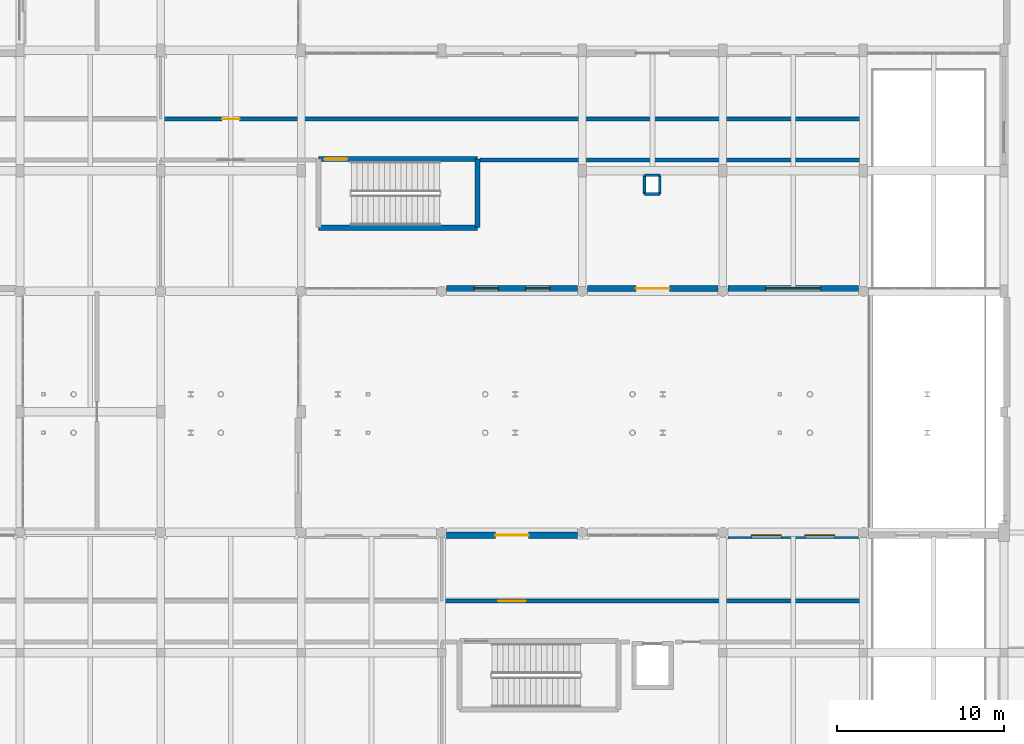
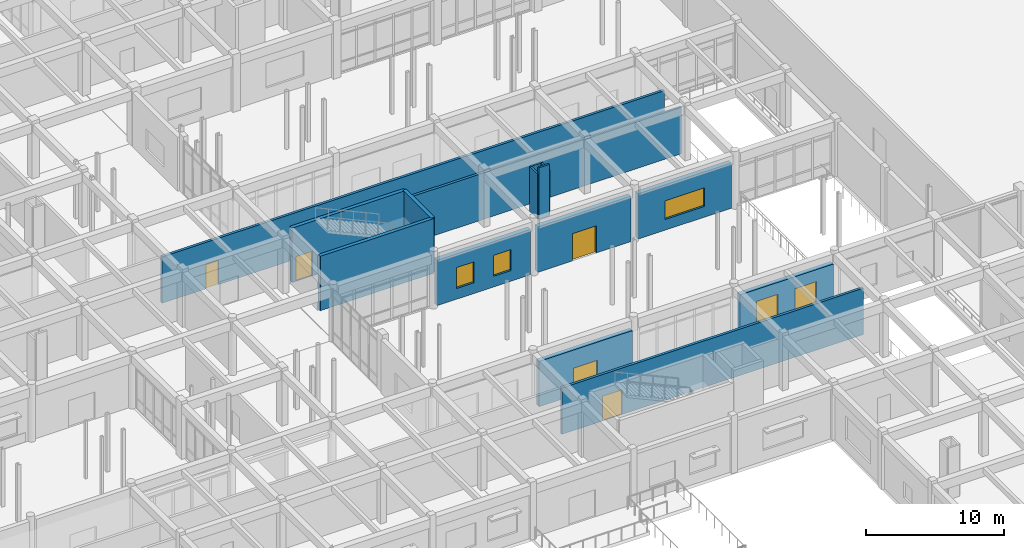
# One storey, part 77 of 121: 15 walls, 5 doors, 5 windows, 10 openings.
"""IFC4 building model written with IfcOpenShell, lengths in metres."""

from ifc_helpers import new_model, si_unit, direction, frame, frame_2d, origin, place, context, subcontext, project, spatial, rectangle, extrude, material, layer, layer_set, type_object, element, fill, save


model = new_model("IFC4")

# Units and contexts
model_context = context("Model", 3, precision=1e-05, world=origin(), true_north=direction((0.0, 1.0)))
body_context = subcontext(model_context, "Body", "Model", "MODEL_VIEW")
ifc_project = project(units=[si_unit("LENGTHUNIT", "METRE"), si_unit("AREAUNIT", "SQUARE_METRE"), si_unit("VOLUMEUNIT", "CUBIC_METRE"), si_unit("PLANEANGLEUNIT", "RADIAN"), si_unit("MASSUNIT", "GRAM", prefix="KILO")], contexts=[model_context])

# Site, building, storey
site_placement = place(None, origin())
site = spatial("IfcSite", under=ifc_project, at=site_placement, CompositionType="ELEMENT")
building_placement = place(site_placement, origin())
building = spatial("IfcBuilding", under=site, at=building_placement, Name="Malvenik Polytechnic", CompositionType="ELEMENT")
storey_placement = place(building_placement, origin())
storey = spatial("IfcBuildingStorey", under=building, at=storey_placement, Name="L00", CompositionType="ELEMENT", Elevation=0.0)

# Wall, opening, door
ifc_material_1 = material(Name="Concrete C35/45", Category="concrete")
ifc_layer_1 = layer(ifc_material_1, 0.300048828125)
ifc_layer_set_1 = layer_set([ifc_layer_1], Name="Concrete C35/45")
wall_type_1 = type_object("IfcWallType", Name="ARC-CW-S300", PredefinedType="SHEAR", material=ifc_layer_set_1)
wall_1_placement = place(storey_placement, frame((93.449951171875, 58.300048828125, 0.0), z_axis=(0.0, 0.0, 1.0), x_axis=(1.0, 0.0, 0.0)))
wall_1 = element("IfcWall", 1, at=wall_1_placement, inside=storey, type_object=wall_type_1, Name="Stair Core Shear Wall ST-07 L00 RGHT", PredefinedType="SHEAR", context=body_context, shape_type="SweptSolid", body=[
    extrude(rectangle(XDim=9.5, YDim=0.300048828125, at=frame_2d((4.75, 0.0))), origin(), (0.0, 0.0, 1.0), 4.820068359375),
])
opening_1_placement = place(wall_1_placement, frame((0.35009765625, 0.0, 0.0)))
opening_1 = element("IfcOpeningElement", 2, at=opening_1_placement, cuts=wall_1, Name="Opening SD-01", PredefinedType="OPENING", context=body_context, shape_type="SweptSolid", body=[
    extrude(rectangle(XDim=1.35009765625, YDim=2.199951171875, at=frame_2d((0.675048828125, 1.10009765625))), frame((0.0, 0.16015625, 0.0), z_axis=(0.0, -1.0, 0.0), x_axis=(1.0, 0.0, 0.0)), (0.0, 0.0, 1.0), 0.320068359375),
])
ifc_material_2 = material(Name="Fire-rated steel stair enclosure door", Category="steel")
door_type_1 = type_object("IfcDoorType", Name="ARC-IDR-SD-01", OperationType="NOTDEFINED", PredefinedType="DOOR", material=ifc_material_2)
door_1_placement = place(opening_1_placement, origin())
door_1 = element("IfcDoor", 3, at=door_1_placement, inside=storey, type_object=door_type_1, Name="Fire Stair Door ST-07 L00", OperationType="SINGLE_SWING_LEFT", OverallHeight=2.199951171875, OverallWidth=1.35009765625, PredefinedType="DOOR", context=body_context, shape_type="SweptSolid", body=[
    extrude(rectangle(XDim=1.35009765625, YDim=2.199951171875, at=frame_2d((0.675048828125, 1.10009765625))), frame((0.0, 0.02490234375, 0.0), z_axis=(0.0, -1.0, 0.0), x_axis=(1.0, 0.0, 0.0)), (0.0, 0.0, 1.0), 0.050048828125),
])
fill(opening_1, door_1)

# Walls
wall_2_placement = place(storey_placement, frame((102.949951171875, 58.300048828125, 0.0), z_axis=(0.0, 0.0, 1.0), x_axis=(0.0, -1.0, 0.0)))
element("IfcWall", 4, at=wall_2_placement, inside=storey, type_object=wall_type_1, Name="Stair Core Shear Wall ST-07 L00 FAR", PredefinedType="SHEAR", context=body_context, shape_type="SweptSolid", body=[
    extrude(rectangle(XDim=4.10009765625, YDim=0.300048828125, at=frame_2d((2.050048828125, 0.0))), origin(), (0.0, 0.0, 1.0), 4.820068359375),
])
wall_3_placement = place(storey_placement, frame((102.949951171875, 54.199951171875, 0.0), z_axis=(0.0, 0.0, 1.0), x_axis=(-1.0, 0.0, 0.0)))
element("IfcWall", 5, at=wall_3_placement, inside=storey, type_object=wall_type_1, Name="Stair Core Shear Wall ST-07 L00 LEFT", PredefinedType="SHEAR", context=body_context, shape_type="SweptSolid", body=[
    extrude(rectangle(XDim=9.5, YDim=0.300048828125, at=frame_2d((4.75, 0.0))), origin(), (0.0, 0.0, 1.0), 4.820068359375),
])

# Wall, opening, window
ifc_material_3 = material(Name="Concrete C30/37", Category="concrete")
ifc_layer_2 = layer(ifc_material_3, 0.3798828125)
ifc_layer_set_2 = layer_set([ifc_layer_2], Name="Concrete C30/37")
wall_type_2 = type_object("IfcWallType", Name="ARC-EW-380", PredefinedType="SOLIDWALL", material=ifc_layer_set_2)
wall_4_placement = place(storey_placement, frame((125.701904296875, 50.570068359375, 0.0), z_axis=(0.0, 0.0, 1.0), x_axis=(-1.0, 0.0, 0.0)))
wall_4 = element("IfcWall", 6, at=wall_4_placement, inside=storey, type_object=wall_type_2, Name="External Facade Wall EW-01 L00 #159", PredefinedType="SOLIDWALL", context=body_context, shape_type="SweptSolid", body=[
    extrude(rectangle(XDim=7.803955078125, YDim=0.3798828125, at=frame_2d((3.90185546875, 0.0))), origin(), (0.0, 0.0, 1.0), 4.010009765625),
])
opening_2_placement = place(wall_4_placement, frame((2.251953125, 0.0, 0.949951171875)))
opening_2 = element("IfcOpeningElement", 7, at=opening_2_placement, cuts=wall_4, Name="Opening W-30", PredefinedType="OPENING", context=body_context, shape_type="SweptSolid", body=[
    extrude(rectangle(XDim=3.300048828125, YDim=1.64990234375, at=frame_2d((1.64990234375, 0.824951171875))), frame((0.0, 0.199951171875, 0.0), z_axis=(0.0, -1.0, 0.0), x_axis=(1.0, 0.0, 0.0)), (0.0, 0.0, 1.0), 0.39990234375),
])
ifc_material_4 = material(Name="Thermally broken aluminium frame with low-E double glazing", Category="aluminium")
window_type_1 = type_object("IfcWindowType", Name="ARC-WIN-W-30", PartitioningType="SINGLE_PANEL", PredefinedType="WINDOW", material=ifc_material_4)
window_1_placement = place(opening_2_placement, origin())
window_1 = element("IfcWindow", 8, at=window_1_placement, inside=storey, type_object=window_type_1, Name="Punched Window W-30 L00 #120", OverallHeight=1.64990234375, OverallWidth=3.300048828125, PartitioningType="SINGLE_PANEL", PredefinedType="WINDOW", context=body_context, shape_type="SweptSolid", body=[
    extrude(rectangle(XDim=3.300048828125, YDim=1.64990234375, at=frame_2d((1.64990234375, 0.824951171875))), frame((0.0, 0.030029296875, 0.0), z_axis=(0.0, -1.0, 0.0), x_axis=(1.0, 0.0, 0.0)), (0.0, 0.0, 1.0), 0.06005859375),
])
fill(opening_2, window_1)

# Wall, opening, door
wall_5_placement = place(storey_placement, frame((117.302001953125, 50.570068359375, 0.0), z_axis=(0.0, 0.0, 1.0), x_axis=(-1.0, 0.0, 0.0)))
wall_5 = element("IfcWall", 9, at=wall_5_placement, inside=storey, type_object=wall_type_2, Name="External Facade Wall EW-01 L00 #160", PredefinedType="SOLIDWALL", context=body_context, shape_type="SweptSolid", body=[
    extrude(rectangle(XDim=7.803955078125, YDim=0.3798828125, at=frame_2d((3.90185546875, 0.0))), origin(), (0.0, 0.0, 1.0), 4.010009765625),
])
opening_3_placement = place(wall_5_placement, frame((2.902099609375, 0.0, 0.0)))
opening_3 = element("IfcOpeningElement", 10, at=opening_3_placement, cuts=wall_5, Name="Opening ED-01", PredefinedType="OPENING", context=body_context, shape_type="SweptSolid", body=[
    extrude(rectangle(XDim=2.0, YDim=2.39990234375, at=frame_2d((1.0, 1.199951171875))), frame((0.0, 0.199951171875, 0.0), z_axis=(0.0, -1.0, 0.0), x_axis=(1.0, 0.0, 0.0)), (0.0, 0.0, 1.0), 0.39990234375),
])
ifc_material_5 = material(Name="Thermally broken glazed aluminium entrance door", Category="aluminium")
door_type_2 = type_object("IfcDoorType", Name="ARC-EDR-ED-01", OperationType="NOTDEFINED", PredefinedType="DOOR", material=ifc_material_5)
door_2_placement = place(opening_3_placement, origin())
door_2 = element("IfcDoor", 11, at=door_2_placement, inside=storey, type_object=door_type_2, Name="External Door ED-01 L00 #35", OperationType="DOUBLE_DOOR_SINGLE_SWING", OverallHeight=2.39990234375, OverallWidth=2.0, PredefinedType="DOOR", context=body_context, shape_type="SweptSolid", body=[
    extrude(rectangle(XDim=2.0, YDim=2.39990234375, at=frame_2d((1.0, 1.199951171875))), frame((0.0, 0.02490234375, 0.0), z_axis=(0.0, -1.0, 0.0), x_axis=(1.0, 0.0, 0.0)), (0.0, 0.0, 1.0), 0.050048828125),
])
fill(opening_3, door_2)

# Wall, openings, windows
wall_6_placement = place(storey_placement, frame((108.902099609375, 50.570068359375, 0.0), z_axis=(0.0, 0.0, 1.0), x_axis=(-1.0, 0.0, 0.0)))
wall_6 = element("IfcWall", 12, at=wall_6_placement, inside=storey, type_object=wall_type_2, Name="External Facade Wall EW-01 L00 #161", PredefinedType="SOLIDWALL", context=body_context, shape_type="SweptSolid", body=[
    extrude(rectangle(XDim=7.80419921875, YDim=0.3798828125, at=frame_2d((3.902099609375, 0.0))), origin(), (0.0, 0.0, 1.0), 4.010009765625),
])
opening_4_placement = place(wall_6_placement, frame((1.634765625, 0.0, 0.949951171875)))
opening_4 = element("IfcOpeningElement", 13, at=opening_4_placement, cuts=wall_6, Name="Opening W-31", PredefinedType="OPENING", context=body_context, shape_type="SweptSolid", body=[
    extrude(rectangle(XDim=1.449951171875, YDim=1.85009765625, at=frame_2d((0.72509765625, 0.925048828125))), frame((0.0, 0.199951171875, 0.0), z_axis=(0.0, -1.0, 0.0), x_axis=(1.0, 0.0, 0.0)), (0.0, 0.0, 1.0), 0.39990234375),
])
opening_5_placement = place(wall_6_placement, frame((4.719482421875, 0.0, 0.949951171875)))
opening_5 = element("IfcOpeningElement", 14, at=opening_5_placement, cuts=wall_6, Name="Opening W-31", PredefinedType="OPENING", context=body_context, shape_type="SweptSolid", body=[
    extrude(rectangle(XDim=1.449951171875, YDim=1.85009765625, at=frame_2d((0.72509765625, 0.925048828125))), frame((0.0, 0.199951171875, 0.0), z_axis=(0.0, -1.0, 0.0), x_axis=(1.0, 0.0, 0.0)), (0.0, 0.0, 1.0), 0.39990234375),
])
window_type_2 = type_object("IfcWindowType", Name="ARC-WIN-W-31", PartitioningType="SINGLE_PANEL", PredefinedType="WINDOW", material=ifc_material_4)
window_2_placement = place(opening_4_placement, origin())
window_2 = element("IfcWindow", 15, at=window_2_placement, inside=storey, type_object=window_type_2, Name="Punched Window W-31 L00 #121", OverallHeight=1.85009765625, OverallWidth=1.449951171875, PartitioningType="SINGLE_PANEL", PredefinedType="WINDOW", context=body_context, shape_type="SweptSolid", body=[
    extrude(rectangle(XDim=1.449951171875, YDim=1.85009765625, at=frame_2d((0.72509765625, 0.925048828125))), frame((0.0, 0.030029296875, 0.0), z_axis=(0.0, -1.0, 0.0), x_axis=(1.0, 0.0, 0.0)), (0.0, 0.0, 1.0), 0.06005859375),
])
fill(opening_4, window_2)
window_3_placement = place(opening_5_placement, origin())
window_3 = element("IfcWindow", 16, at=window_3_placement, inside=storey, type_object=window_type_2, Name="Punched Window W-31 L00 #122", OverallHeight=1.85009765625, OverallWidth=1.449951171875, PartitioningType="SINGLE_PANEL", PredefinedType="WINDOW", context=body_context, shape_type="SweptSolid", body=[
    extrude(rectangle(XDim=1.449951171875, YDim=1.85009765625, at=frame_2d((0.72509765625, 0.925048828125))), frame((0.0, 0.030029296875, 0.0), z_axis=(0.0, -1.0, 0.0), x_axis=(1.0, 0.0, 0.0)), (0.0, 0.0, 1.0), 0.06005859375),
])
fill(opening_5, window_3)

# Wall, opening, door
wall_7_placement = place(storey_placement, frame((101.097900390625, 35.830078125, 0.0), z_axis=(0.0, 0.0, 1.0), x_axis=(1.0, 0.0, 0.0)))
wall_7 = element("IfcWall", 17, at=wall_7_placement, inside=storey, type_object=wall_type_2, Name="External Facade Wall EW-01 L00 #164", PredefinedType="SOLIDWALL", context=body_context, shape_type="SweptSolid", body=[
    extrude(rectangle(XDim=7.80419921875, YDim=0.3798828125, at=frame_2d((3.902099609375, 0.0))), origin(), (0.0, 0.0, 1.0), 4.010009765625),
])
opening_6_placement = place(wall_7_placement, frame((2.902099609375, 0.0, 0.0)))
opening_6 = element("IfcOpeningElement", 18, at=opening_6_placement, cuts=wall_7, Name="Opening ED-01", PredefinedType="OPENING", context=body_context, shape_type="SweptSolid", body=[
    extrude(rectangle(XDim=2.0, YDim=2.39990234375, at=frame_2d((1.0, 1.199951171875))), frame((0.0, 0.199951171875, 0.0), z_axis=(0.0, -1.0, 0.0), x_axis=(1.0, 0.0, 0.0)), (0.0, 0.0, 1.0), 0.39990234375),
])
door_3_placement = place(opening_6_placement, origin())
door_3 = element("IfcDoor", 19, at=door_3_placement, inside=storey, type_object=door_type_2, Name="External Door ED-01 L00 #36", OperationType="DOUBLE_DOOR_SINGLE_SWING", OverallHeight=2.39990234375, OverallWidth=2.0, PredefinedType="DOOR", context=body_context, shape_type="SweptSolid", body=[
    extrude(rectangle(XDim=2.0, YDim=2.39990234375, at=frame_2d((1.0, 1.199951171875))), frame((0.0, 0.02490234375, 0.0), z_axis=(0.0, -1.0, 0.0), x_axis=(1.0, 0.0, 0.0)), (0.0, 0.0, 1.0), 0.050048828125),
])
fill(opening_6, door_3)

# Wall, openings, windows
wall_8_placement = place(storey_placement, frame((117.89794921875, 35.830078125, 0.0), z_axis=(0.0, 0.0, 1.0), x_axis=(1.0, 0.0, 0.0)))
wall_8 = element("IfcWall", 20, at=wall_8_placement, inside=storey, type_object=wall_type_2, Name="External Facade Wall EW-01 L00 #165", PredefinedType="SOLIDWALL", context=body_context, shape_type="SweptSolid", body=[
    extrude(rectangle(XDim=7.803955078125, YDim=0.3798828125, at=frame_2d((3.90185546875, 0.0))), origin(), (0.0, 0.0, 1.0), 4.010009765625),
])
opening_7_placement = place(wall_8_placement, frame((1.4013671875, 0.0, 0.949951171875)))
opening_7 = element("IfcOpeningElement", 21, at=opening_7_placement, cuts=wall_8, Name="Opening W-04", PredefinedType="OPENING", context=body_context, shape_type="SweptSolid", body=[
    extrude(rectangle(XDim=1.800048828125, YDim=2.0, at=frame_2d((0.89990234375, 1.0))), frame((0.0, 0.199951171875, 0.0), z_axis=(0.0, -1.0, 0.0), x_axis=(1.0, 0.0, 0.0)), (0.0, 0.0, 1.0), 0.39990234375),
])
opening_8_placement = place(wall_8_placement, frame((4.6025390625, 0.0, 0.949951171875)))
opening_8 = element("IfcOpeningElement", 22, at=opening_8_placement, cuts=wall_8, Name="Opening W-04", PredefinedType="OPENING", context=body_context, shape_type="SweptSolid", body=[
    extrude(rectangle(XDim=1.800048828125, YDim=2.0, at=frame_2d((0.89990234375, 1.0))), frame((0.0, 0.199951171875, 0.0), z_axis=(0.0, -1.0, 0.0), x_axis=(1.0, 0.0, 0.0)), (0.0, 0.0, 1.0), 0.39990234375),
])
window_type_3 = type_object("IfcWindowType", Name="ARC-WIN-W-04", PartitioningType="SINGLE_PANEL", PredefinedType="WINDOW", material=ifc_material_4)
window_4_placement = place(opening_7_placement, origin())
window_4 = element("IfcWindow", 23, at=window_4_placement, inside=storey, type_object=window_type_3, Name="Punched Window W-04 L00 #126", OverallHeight=2.0, OverallWidth=1.800048828125, PartitioningType="SINGLE_PANEL", PredefinedType="WINDOW", context=body_context, shape_type="SweptSolid", body=[
    extrude(rectangle(XDim=1.800048828125, YDim=2.0, at=frame_2d((0.89990234375, 1.0))), frame((0.0, 0.030029296875, 0.0), z_axis=(0.0, -1.0, 0.0), x_axis=(1.0, 0.0, 0.0)), (0.0, 0.0, 1.0), 0.06005859375),
])
fill(opening_7, window_4)
window_5_placement = place(opening_8_placement, origin())
window_5 = element("IfcWindow", 24, at=window_5_placement, inside=storey, type_object=window_type_3, Name="Punched Window W-04 L00 #127", OverallHeight=2.0, OverallWidth=1.800048828125, PartitioningType="SINGLE_PANEL", PredefinedType="WINDOW", context=body_context, shape_type="SweptSolid", body=[
    extrude(rectangle(XDim=1.800048828125, YDim=2.0, at=frame_2d((0.89990234375, 1.0))), frame((0.0, 0.030029296875, 0.0), z_axis=(0.0, -1.0, 0.0), x_axis=(1.0, 0.0, 0.0)), (0.0, 0.0, 1.0), 0.06005859375),
])
fill(opening_8, window_5)

# Wall, opening, door
ifc_material_6 = material(Name="Autoclaved aerated concrete blockwork 220mm", Category="masonry")
ifc_layer_3 = layer(ifc_material_6, 0.219970703125)
ifc_layer_set_3 = layer_set([ifc_layer_3], Name="Autoclaved aerated concrete blockwork 220mm")
wall_type_3 = type_object("IfcWallType", Name="ARC-FW-220", PredefinedType="SOLIDWALL", material=ifc_layer_set_3)
wall_9_placement = place(storey_placement, frame((84.0, 60.699951171875, 0.0), z_axis=(0.0, 0.0, 1.0), x_axis=(1.0, 0.0, 0.0)))
wall_9 = element("IfcWall", 25, at=wall_9_placement, inside=storey, type_object=wall_type_3, Name="Interior Partition FW-01 L00 #93", PredefinedType="SOLIDWALL", context=body_context, shape_type="SweptSolid", body=[
    extrude(rectangle(XDim=42.0, YDim=0.219970703125, at=frame_2d((21.0, 0.0))), origin(), (0.0, 0.0, 1.0), 4.10498046875),
])
opening_9_placement = place(wall_9_placement, frame((3.675048828125, 0.0, 0.0)))
opening_9 = element("IfcOpeningElement", 26, at=opening_9_placement, cuts=wall_9, Name="Opening FD-05", PredefinedType="OPENING", context=body_context, shape_type="SweptSolid", body=[
    extrude(rectangle(XDim=1.050048828125, YDim=2.14990234375, at=frame_2d((0.52490234375, 1.074951171875))), frame((0.0, 0.1201171875, 0.0), z_axis=(0.0, -1.0, 0.0), x_axis=(1.0, 0.0, 0.0)), (0.0, 0.0, 1.0), 0.239990234375),
])
ifc_material_7 = material(Name="Fire-rated archive room door", Category="steel")
door_type_3 = type_object("IfcDoorType", Name="ARC-IDR-FD-05", OperationType="NOTDEFINED", PredefinedType="DOOR", material=ifc_material_7)
door_4_placement = place(opening_9_placement, origin())
door_4 = element("IfcDoor", 27, at=door_4_placement, inside=storey, type_object=door_type_3, Name="Interior Door FD-05 L00 #43", OperationType="SINGLE_SWING_LEFT", OverallHeight=2.14990234375, OverallWidth=1.050048828125, PredefinedType="DOOR", context=body_context, shape_type="SweptSolid", body=[
    extrude(rectangle(XDim=1.050048828125, YDim=2.14990234375, at=frame_2d((0.52490234375, 1.074951171875))), frame((0.0, 0.02490234375, 0.0), z_axis=(0.0, -1.0, 0.0), x_axis=(1.0, 0.0, 0.0)), (0.0, 0.0, 1.0), 0.050048828125),
])
fill(opening_9, door_4)

# Wall
wall_10_placement = place(storey_placement, frame((126.0, 58.25, 0.0), z_axis=(0.0, 0.0, 1.0), x_axis=(-1.0, 0.0, 0.0)))
element("IfcWall", 28, at=wall_10_placement, inside=storey, type_object=wall_type_3, Name="Interior Partition FW-01 L00 #100", PredefinedType="SOLIDWALL", context=body_context, shape_type="SweptSolid", body=[
    extrude(rectangle(XDim=22.909912109375, YDim=0.219970703125, at=frame_2d((11.455078125, 0.0))), origin(), (0.0, 0.0, 1.0), 4.10498046875),
])

# Wall, opening, door
wall_11_placement = place(storey_placement, frame((100.800048828125, 31.89990234375, 0.0), z_axis=(0.0, 0.0, 1.0), x_axis=(1.0, 0.0, 0.0)))
wall_11 = element("IfcWall", 29, at=wall_11_placement, inside=storey, type_object=wall_type_3, Name="Interior Partition FW-01 L00 #106", PredefinedType="SOLIDWALL", context=body_context, shape_type="SweptSolid", body=[
    extrude(rectangle(XDim=25.199951171875, YDim=0.219970703125, at=frame_2d((12.60009765625, 0.0))), origin(), (0.0, 0.0, 1.0), 4.10498046875),
])
opening_10_placement = place(wall_11_placement, frame((3.375, 0.0, 0.0)))
opening_10 = element("IfcOpeningElement", 30, at=opening_10_placement, cuts=wall_11, Name="Opening FD-03", PredefinedType="OPENING", context=body_context, shape_type="SweptSolid", body=[
    extrude(rectangle(XDim=1.64990234375, YDim=2.199951171875, at=frame_2d((0.824951171875, 1.10009765625))), frame((0.0, 0.1201171875, 0.0), z_axis=(0.0, -1.0, 0.0), x_axis=(1.0, 0.0, 0.0)), (0.0, 0.0, 1.0), 0.239990234375),
])
ifc_material_8 = material(Name="Fire-rated double-leaf laboratory door", Category="steel")
door_type_4 = type_object("IfcDoorType", Name="ARC-IDR-FD-03", OperationType="NOTDEFINED", PredefinedType="DOOR", material=ifc_material_8)
door_5_placement = place(opening_10_placement, origin())
door_5 = element("IfcDoor", 31, at=door_5_placement, inside=storey, type_object=door_type_4, Name="Interior Door FD-03 L00 #49", OperationType="DOUBLE_DOOR_SINGLE_SWING", OverallHeight=2.199951171875, OverallWidth=1.64990234375, PredefinedType="DOOR", context=body_context, shape_type="SweptSolid", body=[
    extrude(rectangle(XDim=1.64990234375, YDim=2.199951171875, at=frame_2d((0.824951171875, 1.10009765625))), frame((0.0, 0.02490234375, 0.0), z_axis=(0.0, -1.0, 0.0), x_axis=(1.0, 0.0, 0.0)), (0.0, 0.0, 1.0), 0.050048828125),
])
fill(opening_10, door_5)

# Walls
ifc_material_9 = material(Name="Double-stud acoustic gypsum board partition 160mm", Category="gypsum")
ifc_layer_4 = layer(ifc_material_9, 0.159912109375)
ifc_layer_set_4 = layer_set([ifc_layer_4], Name="Double-stud acoustic gypsum board partition 160mm")
wall_type_4 = type_object("IfcWallType", Name="ARC-PW-160", PredefinedType="PARTITIONING", material=ifc_layer_set_4)
wall_12_placement = place(storey_placement, frame((112.919921875, 56.219970703125, 0.0), z_axis=(0.0, 0.0, 1.0), x_axis=(1.0, 0.0, 0.0)))
element("IfcWall", 32, at=wall_12_placement, inside=storey, type_object=wall_type_4, Name="Riser Shaft Enclosure L00 #9S", PredefinedType="PARTITIONING", context=body_context, shape_type="SweptSolid", body=[
    extrude(rectangle(XDim=0.91015625, YDim=0.159912109375, at=frame_2d((0.455078125, 0.0))), origin(), (0.0, 0.0, 1.0), 4.550048828125),
])
wall_13_placement = place(storey_placement, frame((113.830078125, 57.330078125, 0.0), z_axis=(0.0, 0.0, 1.0), x_axis=(-1.0, 0.0, 0.0)))
element("IfcWall", 33, at=wall_13_placement, inside=storey, type_object=wall_type_4, Name="Riser Shaft Enclosure L00 #9N", PredefinedType="PARTITIONING", context=body_context, shape_type="SweptSolid", body=[
    extrude(rectangle(XDim=0.91015625, YDim=0.159912109375, at=frame_2d((0.455078125, 0.0))), origin(), (0.0, 0.0, 1.0), 4.0048828125),
])
for number, where, z_axis, x_axis, name in (
    (34, (112.919921875, 57.330078125, 0.0), (0.0, 0.0, 1.0), (0.0, -1.0, 0.0), "Riser Shaft Enclosure L00 #9W"),
    (35, (113.830078125, 56.219970703125, 0.0), (0.0, 0.0, 1.0), (0.0, 1.0, 0.0), "Riser Shaft Enclosure L00 #9E"),
):
    element("IfcWall", number, at=place(storey_placement, frame(where, z_axis=z_axis, x_axis=x_axis)), inside=storey, type_object=wall_type_4, Name=name, PredefinedType="PARTITIONING", context=body_context, shape_type="SweptSolid", body=[
        extrude(rectangle(XDim=1.110107421875, YDim=0.159912109375, at=frame_2d((0.55517578125, 0.0))), origin(), (0.0, 0.0, 1.0), 4.0048828125),
    ])

save(model, "model.ifc")
